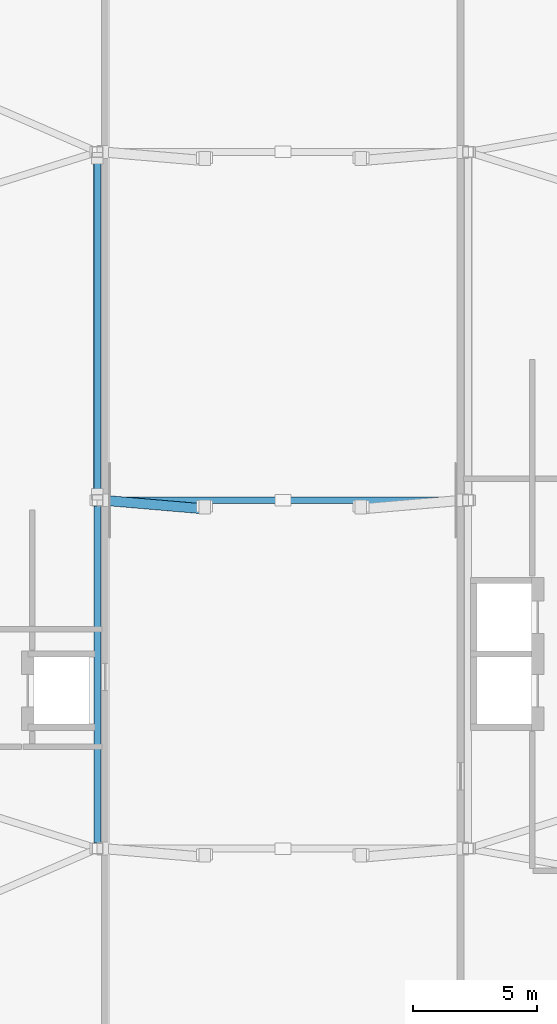
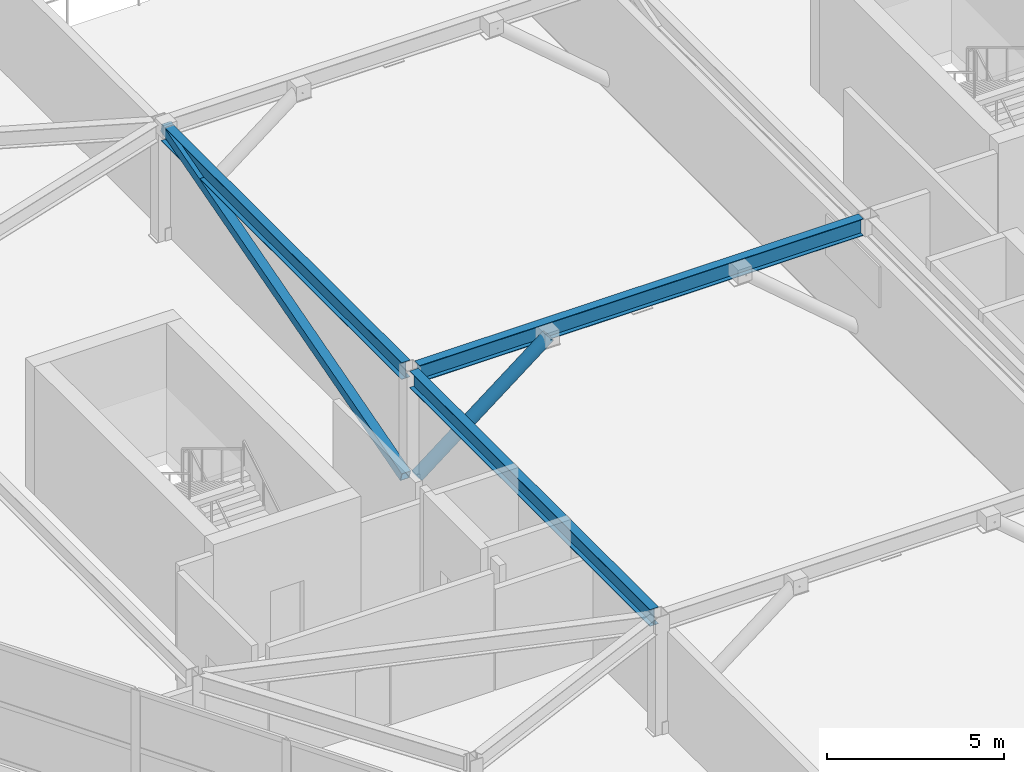
# One storey, part 6 of 17: 3 beams, 2 members.
"""IFC4 building model written with IfcOpenShell, lengths in metres."""

from ifc_helpers import new_model, si_unit, direction, frame, origin, origin_2d, place, context, subcontext, project, spatial, hollow_rectangle, hollow_circle, i_section, extrude, material, material_profile, profile_set, type_object, element, save


model = new_model("IFC4")

# Units and contexts
model_context = context("Model", 3, precision=1e-05, world=origin(), true_north=direction((0.0, 1.0)))
body_context = subcontext(model_context, "Body", "Model", "MODEL_VIEW")
ifc_project = project(units=[si_unit("LENGTHUNIT", "METRE"), si_unit("AREAUNIT", "SQUARE_METRE"), si_unit("VOLUMEUNIT", "CUBIC_METRE"), si_unit("PLANEANGLEUNIT", "RADIAN"), si_unit("MASSUNIT", "GRAM", prefix="KILO")], contexts=[model_context])

# Site, building, storey
site_placement = place(None, origin())
site = spatial("IfcSite", under=ifc_project, at=site_placement, CompositionType="ELEMENT")
building_placement = place(site_placement, origin())
building = spatial("IfcBuilding", under=site, at=building_placement, Name="Zuhravey Tower", CompositionType="ELEMENT")
storey_placement = place(building_placement, frame((0.0, 0.0, 361.39990234375)))
storey = spatial("IfcBuildingStorey", under=building, at=storey_placement, Name="L92", CompositionType="ELEMENT", Elevation=361.39990234375)

# Member
ifc_material = material(Name="Steel SM355", Category="steel")
ifc_material_profile_1 = material_profile(ifc_material, hollow_rectangle(XDim=0.300048828125, YDim=0.300048828125, WallThickness=0.01611328125, at=origin_2d()), Name="RHS-300x300x16")
ifc_profile_set_1 = profile_set([ifc_material_profile_1], Name="Steel SM355")
member_type_1 = type_object("IfcMemberType", Name="Crown Frame Strut RHS300x300", PredefinedType="STRUT", material=ifc_profile_set_1)
member_1_placement = place(storey_placement, frame((28.550048828125, 32.249267578125, 0.10546875), z_axis=(0.0, 0.961870384353, 0.273505692271), x_axis=(-1.0, 0.0, 0.0)))
element("IfcMember", 1, at=member_1_placement, inside=storey, type_object=member_type_1, Name="L92 West Crest Portal Frame Strut CFS1", PredefinedType="STRUT", context=body_context, shape_type="SweptSolid", body=[
    extrude(hollow_rectangle(XDim=0.300048828125, YDim=0.300048828125, WallThickness=0.01611328125, at=origin_2d()), origin(), (0.0, 0.0, 1.0), 14.03662109375),
])

# Beams
ifc_material_profile_2 = material_profile(ifc_material, i_section(OverallWidth=0.280029296875, OverallDepth=0.580078125, WebThickness=0.011962890625, FlangeThickness=0.01904296875, at=origin_2d()), Name="H-580x280x12x19")
ifc_profile_set_2 = profile_set([ifc_material_profile_2], Name="Steel SM355")
beam_type = type_object("IfcBeamType", Name="Perimeter Ring Beam H580x280", PredefinedType="BEAM", material=ifc_profile_set_2)
for number, where, z_axis, x_axis, name in (
    (2, (28.550048828125, 18.22900390625, 3.760009765625), (0.0, 1.0, 0.0), (-1.0, 0.0, 0.0), "L92 PB4 BM-L92-WCR-4-5"),
    (3, (28.550048828125, 32.22900390625, 3.760009765625), (0.0, 1.0, 0.0), (-1.0, 0.0, 0.0), "L92 PB4 BM-L92-WCR-5-6"),
):
    element("IfcBeam", number, at=place(storey_placement, frame(where, z_axis=z_axis, x_axis=x_axis)), inside=storey, type_object=beam_type, Name=name, PredefinedType="BEAM", context=body_context, shape_type="SweptSolid", body=[
        extrude(i_section(OverallWidth=0.280029296875, OverallDepth=0.580078125, WebThickness=0.011962890625, FlangeThickness=0.01904296875, at=origin_2d()), origin(), (0.0, 0.0, 1.0), 13.5419921875),
    ])
beam_placement = place(storey_placement, frame((28.780029296875, 32.0, 3.755126953125), z_axis=(1.0, 0.0, 0.0), x_axis=(0.0, 1.0, 0.0)))
element("IfcBeam", 4, at=beam_placement, inside=storey, type_object=beam_type, Name="L92 Wind-Portal Tie Girder PB4-2", PredefinedType="BEAM", context=body_context, shape_type="SweptSolid", body=[
    extrude(i_section(OverallWidth=0.280029296875, OverallDepth=0.580078125, WebThickness=0.011962890625, FlangeThickness=0.01904296875, at=origin_2d()), origin(), (0.0, 0.0, 1.0), 14.43994140625),
])

# Member
ifc_material_profile_3 = material_profile(ifc_material, hollow_circle(Radius=0.203125, WallThickness=0.02001953125, at=origin_2d()), Name="CHS-406.4x20")
ifc_profile_set_3 = profile_set([ifc_material_profile_3], Name="Steel SM355")
member_type_2 = type_object("IfcMemberType", Name="Wind-Portal Arch Brace CHS406x20", PredefinedType="BRACE", material=ifc_profile_set_3)
member_2_placement = place(storey_placement, frame((28.780517578125, 31.999755859375, 0.181396484375), z_axis=(0.747122272379, -0.063852005514, 0.661612599265), x_axis=(0.085153511528, 0.996367843457, 0.0)))
element("IfcMember", 5, at=member_2_placement, inside=storey, type_object=member_type_2, Name="L92 Wind-Portal Arch Brace WPB1-2W", PredefinedType="BRACE", context=body_context, shape_type="SweptSolid", body=[
    extrude(hollow_circle(Radius=0.203125, WallThickness=0.02001953125, at=origin_2d()), origin(), (0.0, 0.0, 1.0), 5.44482421875),
])

save(model, "model.ifc")
